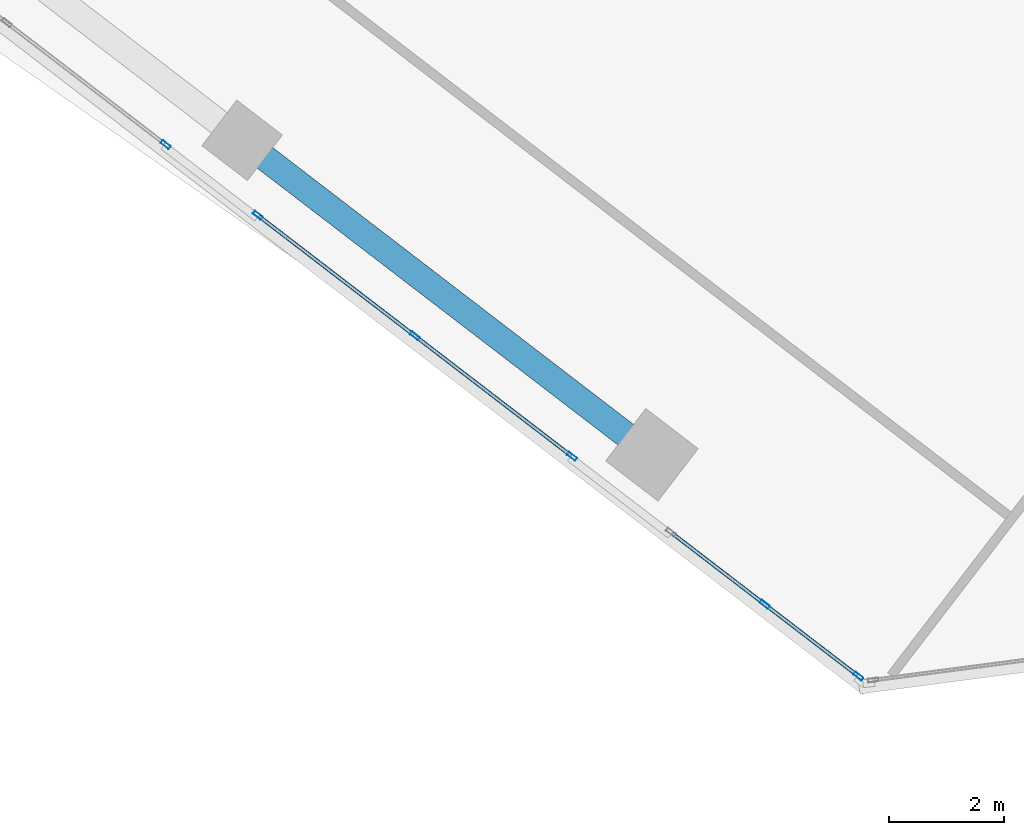
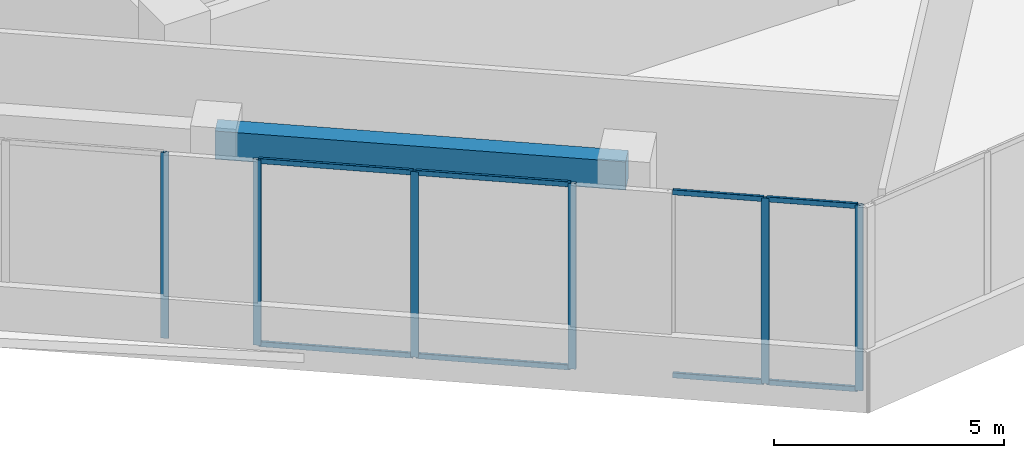
# One storey, part 2 of 23: 14 members, 1 beam, 3 elements without a shape of their own.
"""IFC4 building model written with IfcOpenShell, lengths in metres."""

from ifc_helpers import new_model, si_unit, direction, frame, origin, origin_2d, place, context, subcontext, project, spatial, rectangle, hollow_rectangle, extrude, source, transform, mapped, material, material_profile, profile_set, type_object, element, aggregate, save


model = new_model("IFC4")

# Units and contexts
model_context = context("Model", 3, precision=1e-05, world=origin(), true_north=direction((0.0, 1.0)))
body_context = subcontext(model_context, "Body", "Model", "MODEL_VIEW")
ifc_project = project(units=[si_unit("LENGTHUNIT", "METRE"), si_unit("AREAUNIT", "SQUARE_METRE"), si_unit("VOLUMEUNIT", "CUBIC_METRE"), si_unit("PLANEANGLEUNIT", "RADIAN"), si_unit("MASSUNIT", "GRAM", prefix="KILO")], contexts=[model_context])

# Site, building, storey
site_placement = place(None, origin())
site = spatial("IfcSite", under=ifc_project, at=site_placement, CompositionType="ELEMENT")
building_placement = place(site_placement, origin())
building = spatial("IfcBuilding", under=site, at=building_placement, Name="Torre Montelarca", CompositionType="ELEMENT")
storey_placement = place(building_placement, frame((0.0, 0.0, 204.39990234375)))
storey = spatial("IfcBuildingStorey", under=building, at=storey_placement, Name="L46", CompositionType="ELEMENT", Elevation=204.39990234375)

# Beam
ifc_material_1 = material(Name="Concrete C55/67", Category="concrete")
ifc_material_profile_1 = material_profile(ifc_material_1, rectangle(XDim=0.449951171875, YDim=0.75, at=origin_2d()), Name="RCB450X750", Category="concrete")
ifc_profile_set_1 = profile_set([ifc_material_profile_1], Name="Concrete C55/67")
beam_type = type_object("IfcBeamType", Name="BM-SP-RC750-EXT", PredefinedType="SPANDREL", material=ifc_profile_set_1)
shared_shape_1 = source(origin(), body_context, "Body", "SweptSolid", [
    extrude(rectangle(XDim=0.449951171875, YDim=0.75, at=origin_2d()), origin(), (0.0, 0.0, 1.0), 8.999755859375),
])
beam_placement = place(storey_placement, frame((8.252685546875, 20.485107421875, 4.7451171875), z_axis=(0.793333396427, -0.608787419477, 0.0), x_axis=(0.608787419477, 0.793333396427, 0.0)))
element("IfcBeam", 1, at=beam_placement, inside=storey, type_object=beam_type, Name="L46 Grid Girder X 18.0-27.0 at Y=14.8", PredefinedType="SPANDREL", context=body_context, shape_type="MappedRepresentation", body=[
    mapped(shared_shape_1, transform((0.0, 0.0, 0.0), scale=1.0)),
])

# Curtain wall, member
ifc_material_2 = material(Name="Insulated low-E laminated glass", Category="glass")
curtain_wall_type = type_object("IfcCurtainWallType", Name="CW-SYS-Z2", PredefinedType="USERDEFINED", material=ifc_material_2)
curtain_wall_1_placement = place(storey_placement, origin())
curtain_wall_1 = element("IfcCurtainWall", 2, at=curtain_wall_1_placement, inside=storey, type_object=curtain_wall_type, Name="L46 Curtain Wall Run CW-T3-L46-E01-B1", ObjectType="UNITISED GLAZING", PredefinedType="USERDEFINED")
ifc_material_3 = material(Name="Anodised aluminium AA 6063-T6", Category="aluminium")
ifc_material_profile_2 = material_profile(ifc_material_3, hollow_rectangle(XDim=0.06494140625, YDim=0.179931640625, WallThickness=0.00390625, InnerFilletRadius=0.00390625, OuterFilletRadius=0.008056640625, at=origin_2d()), Name="ALU65X180X4", Category="aluminium")
ifc_profile_set_2 = profile_set([ifc_material_profile_2], Name="Anodised aluminium AA 6063-T6")
member_type_1 = type_object("IfcMemberType", Name="CWM-ALU180", PredefinedType="MULLION", material=ifc_profile_set_2)
shared_shape_2 = source(origin(), body_context, "Body", "SweptSolid", [
    extrude(hollow_rectangle(XDim=0.06494140625, YDim=0.179931640625, WallThickness=0.00390625, InnerFilletRadius=0.00390625, OuterFilletRadius=0.008056640625, at=origin_2d()), origin(), (0.0, 0.0, 1.0), 4.920166015625),
])
member_1_placement = place(storey_placement, frame((6.919677734375, 20.4111328125, 0.0), z_axis=(0.0, 0.0, 1.0), x_axis=(0.608763691545, 0.793351604181, 0.0)))
member_1 = element("IfcMember", 3, at=member_1_placement, type_object=member_type_1, Name="CW mullion 3", PredefinedType="MULLION", context=body_context, shape_type="MappedRepresentation", body=[
    mapped(shared_shape_2, transform((0.0, 0.0, 0.0), scale=1.0)),
])
aggregate(curtain_wall_1, [member_1])

# Curtain wall, members
curtain_wall_2_placement = place(storey_placement, origin())
curtain_wall_2 = element("IfcCurtainWall", 4, at=curtain_wall_2_placement, inside=storey, type_object=curtain_wall_type, Name="L46 Curtain Wall Run CW-T3-L46-E01-B2", ObjectType="UNITISED GLAZING", PredefinedType="USERDEFINED")
member_2_placement = place(storey_placement, frame((8.5263671875, 19.178466796875, 0.0), z_axis=(0.0, 0.0, 1.0), x_axis=(0.608766669958, 0.793349318742, 0.0)))
member_2 = element("IfcMember", 5, at=member_2_placement, type_object=member_type_1, Name="CW mullion 1", PredefinedType="MULLION", context=body_context, shape_type="MappedRepresentation", body=[
    mapped(shared_shape_2, transform((0.0, 0.0, 0.0), scale=1.0)),
])
member_3_placement = place(storey_placement, frame((11.26318359375, 17.078125, 0.0), z_axis=(0.0, 0.0, 1.0), x_axis=(0.608766669958, 0.793349318742, 0.0)))
member_3 = element("IfcMember", 6, at=member_3_placement, type_object=member_type_1, Name="CW mullion 2", PredefinedType="MULLION", context=body_context, shape_type="MappedRepresentation", body=[
    mapped(shared_shape_2, transform((0.0, 0.0, 0.0), scale=1.0)),
])
member_4_placement = place(storey_placement, frame((14.000244140625, 14.97802734375, 0.0), z_axis=(0.0, 0.0, 1.0), x_axis=(0.608766669958, 0.793349318742, 0.0)))
member_4 = element("IfcMember", 7, at=member_4_placement, type_object=member_type_1, Name="CW mullion 3", PredefinedType="MULLION", context=body_context, shape_type="MappedRepresentation", body=[
    mapped(shared_shape_2, transform((0.0, 0.0, 0.0), scale=1.0)),
])

curtain_wall_3_placement = place(storey_placement, origin())
curtain_wall_3 = element("IfcCurtainWall", 8, at=curtain_wall_3_placement, inside=storey, type_object=curtain_wall_type, Name="L46 Curtain Wall Run CW-T3-L46-E01-B3", ObjectType="UNITISED GLAZING", PredefinedType="USERDEFINED")
member_5_placement = place(storey_placement, frame((17.35791015625, 12.401611328125, 0.0), z_axis=(0.0, 0.0, 1.0), x_axis=(0.608753994894, 0.793359044633, 0.0)))
member_5 = element("IfcMember", 9, at=member_5_placement, type_object=member_type_1, Name="CW mullion 2", PredefinedType="MULLION", context=body_context, shape_type="MappedRepresentation", body=[
    mapped(shared_shape_2, transform((0.0, 0.0, 0.0), scale=1.0)),
])
member_6_placement = place(storey_placement, frame((18.989990234375, 11.1494140625, 0.0), z_axis=(0.0, 0.0, 1.0), x_axis=(0.608753994894, 0.793359044633, 0.0)))
member_6 = element("IfcMember", 10, at=member_6_placement, type_object=member_type_1, Name="CW mullion 3", PredefinedType="MULLION", context=body_context, shape_type="MappedRepresentation", body=[
    mapped(shared_shape_2, transform((0.0, 0.0, 0.0), scale=1.0)),
])

# Member
ifc_material_profile_3 = material_profile(ifc_material_3, hollow_rectangle(XDim=0.06494140625, YDim=0.139892578125, WallThickness=0.00390625, InnerFilletRadius=0.00390625, OuterFilletRadius=0.008056640625, at=origin_2d()), Name="ALU65X140X4", Category="aluminium")
ifc_profile_set_3 = profile_set([ifc_material_profile_3], Name="Anodised aluminium AA 6063-T6")
member_type_2 = type_object("IfcMemberType", Name="CWT-ALU140", PredefinedType="USERDEFINED", material=ifc_profile_set_3)
shared_shape_3 = source(origin(), body_context, "Body", "SweptSolid", [
    extrude(hollow_rectangle(XDim=0.06494140625, YDim=0.139892578125, WallThickness=0.00390625, InnerFilletRadius=0.00390625, OuterFilletRadius=0.008056640625, at=origin_2d()), origin(), (0.0, 0.0, 1.0), 3.385009765625),
])
member_7_placement = place(storey_placement, frame((8.552001953125, 19.15869140625, 0.03271484375), z_axis=(0.793339298125, -0.608779728679, 0.0), x_axis=(0.608779728679, 0.793339298125, 0.0)))
member_7 = element("IfcMember", 11, at=member_7_placement, type_object=member_type_2, Name="CW transom 1.1", ObjectType="TRANSOM", PredefinedType="USERDEFINED", context=body_context, shape_type="MappedRepresentation", body=[
    mapped(shared_shape_3, transform((0.0, 0.0, 0.0), scale=1.0)),
])

member_8_placement = place(storey_placement, frame((8.552001953125, 19.15869140625, 4.8876953125), z_axis=(0.793339298125, -0.608779728679, 0.0), x_axis=(0.608779728679, 0.793339298125, 0.0)))
member_8 = element("IfcMember", 12, at=member_8_placement, type_object=member_type_2, Name="CW transom 1.2", ObjectType="TRANSOM", PredefinedType="USERDEFINED", context=body_context, shape_type="MappedRepresentation", body=[
    mapped(shared_shape_3, transform((0.0, 0.0, 0.0), scale=1.0)),
])

member_9_placement = place(storey_placement, frame((11.2890625, 17.058349609375, 0.03271484375), z_axis=(0.793374130919, -0.608734333178, 0.0), x_axis=(0.608734333178, 0.793374130919, 0.0)))
member_9 = element("IfcMember", 13, at=member_9_placement, type_object=member_type_2, Name="CW transom 2.1", ObjectType="TRANSOM", PredefinedType="USERDEFINED", context=body_context, shape_type="MappedRepresentation", body=[
    mapped(shared_shape_3, transform((0.0, 0.0, 0.0), scale=1.0)),
])

member_10_placement = place(storey_placement, frame((11.2890625, 17.058349609375, 4.8876953125), z_axis=(0.793374130919, -0.608734333178, 0.0), x_axis=(0.608734333178, 0.793374130919, 0.0)))
member_10 = element("IfcMember", 14, at=member_10_placement, type_object=member_type_2, Name="CW transom 2.2", ObjectType="TRANSOM", PredefinedType="USERDEFINED", context=body_context, shape_type="MappedRepresentation", body=[
    mapped(shared_shape_3, transform((0.0, 0.0, 0.0), scale=1.0)),
])

aggregate(curtain_wall_2, [member_2, member_3, member_4, member_7, member_8, member_9, member_10])

shared_shape_4 = source(origin(), body_context, "Body", "SweptSolid", [
    extrude(hollow_rectangle(XDim=0.06494140625, YDim=0.139892578125, WallThickness=0.00390625, InnerFilletRadius=0.00390625, OuterFilletRadius=0.008056640625, at=origin_2d()), origin(), (0.0, 0.0, 1.0), 1.991943359375),
])
member_11_placement = place(storey_placement, frame((15.751708984375, 13.634033203125, 0.03271484375), z_axis=(0.793347870404, -0.608768557438, 0.0), x_axis=(0.608768557438, 0.793347870404, 0.0)))
member_11 = element("IfcMember", 15, at=member_11_placement, type_object=member_type_2, Name="CW transom 1.1", ObjectType="TRANSOM", PredefinedType="USERDEFINED", context=body_context, shape_type="MappedRepresentation", body=[
    mapped(shared_shape_4, transform((0.0, 0.0, 0.0), scale=1.0)),
])

member_12_placement = place(storey_placement, frame((15.751708984375, 13.634033203125, 4.8876953125), z_axis=(0.793347870404, -0.608768557438, 0.0), x_axis=(0.608768557438, 0.793347870404, 0.0)))
member_12 = element("IfcMember", 16, at=member_12_placement, type_object=member_type_2, Name="CW transom 1.2", ObjectType="TRANSOM", PredefinedType="USERDEFINED", context=body_context, shape_type="MappedRepresentation", body=[
    mapped(shared_shape_4, transform((0.0, 0.0, 0.0), scale=1.0)),
])

member_13_placement = place(storey_placement, frame((17.3837890625, 12.3818359375, 0.03271484375), z_axis=(0.793347870404, -0.608768557438, 0.0), x_axis=(0.608768557438, 0.793347870404, 0.0)))
member_13 = element("IfcMember", 17, at=member_13_placement, type_object=member_type_2, Name="CW transom 2.1", ObjectType="TRANSOM", PredefinedType="USERDEFINED", context=body_context, shape_type="MappedRepresentation", body=[
    mapped(shared_shape_4, transform((0.0, 0.0, 0.0), scale=1.0)),
])

member_14_placement = place(storey_placement, frame((17.3837890625, 12.3818359375, 4.8876953125), z_axis=(0.793347870404, -0.608768557438, 0.0), x_axis=(0.608768557438, 0.793347870404, 0.0)))
member_14 = element("IfcMember", 18, at=member_14_placement, type_object=member_type_2, Name="CW transom 2.2", ObjectType="TRANSOM", PredefinedType="USERDEFINED", context=body_context, shape_type="MappedRepresentation", body=[
    mapped(shared_shape_4, transform((0.0, 0.0, 0.0), scale=1.0)),
])

aggregate(curtain_wall_3, [member_5, member_6, member_11, member_12, member_13, member_14])

save(model, "model.ifc")
